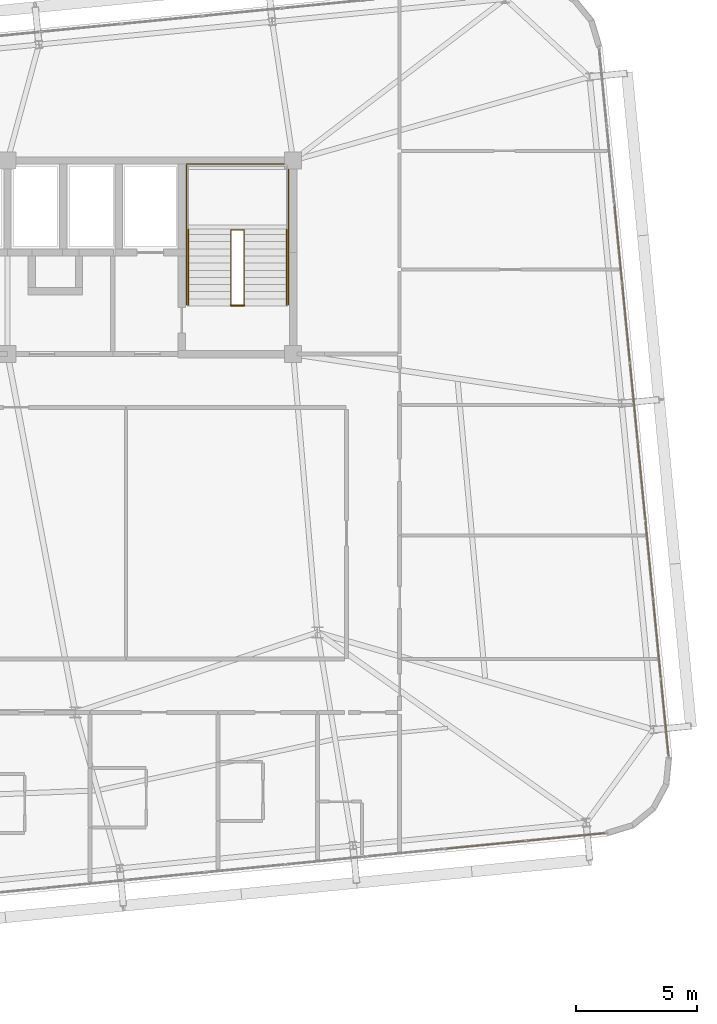
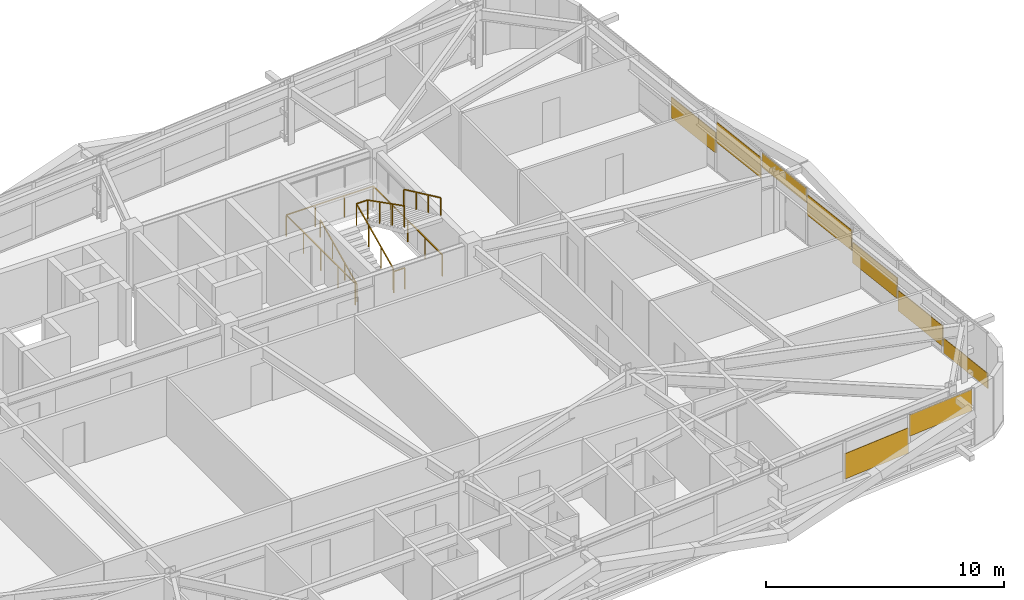
# One storey, part 52 of 53: 9 coverings, 5 railings.
"""IFC4 building model written with IfcOpenShell, lengths in metres."""

from ifc_helpers import new_model, si_unit, direction, frame, origin, origin_2d, place, context, subcontext, project, spatial, rectangle, extrude, source, transform, mapped, material, layer, layer_set, type_object, element, save


model = new_model("IFC4")

# Units and contexts
model_context = context("Model", 3, precision=1e-05, world=origin(), true_north=direction((0.0, 1.0)))
body_context = subcontext(model_context, "Body", "Model", "MODEL_VIEW")
ifc_project = project(units=[si_unit("LENGTHUNIT", "METRE"), si_unit("AREAUNIT", "SQUARE_METRE"), si_unit("VOLUMEUNIT", "CUBIC_METRE"), si_unit("PLANEANGLEUNIT", "RADIAN"), si_unit("MASSUNIT", "GRAM", prefix="KILO")], contexts=[model_context])

# Site, building, storey
site_placement = place(None, origin())
site = spatial("IfcSite", under=ifc_project, at=site_placement, CompositionType="ELEMENT")
building_placement = place(site_placement, origin())
building = spatial("IfcBuilding", under=site, at=building_placement, Name="Taldren Reach Tower", CompositionType="ELEMENT")
storey_placement = place(building_placement, frame((0.0, 0.0, 68.25)))
storey = spatial("IfcBuildingStorey", under=building, at=storey_placement, Name="L20", CompositionType="ELEMENT", Elevation=68.25)

# Railings
ifc_material_1 = material(Name="Steel Gr 350 (C350L0)", Category="steel")
ifc_layer_1 = layer(ifc_material_1, 0.050048828125)
ifc_layer_set_1 = layer_set([ifc_layer_1], Name="Steel Gr 350 (C350L0)")
railing_type_1 = type_object("IfcRailingType", Name="RL-STAIR-GR", PredefinedType="GUARDRAIL", material=ifc_layer_set_1)
railing_1_placement = place(storey_placement, frame((48.429931640625, 26.050048828125, 0.131103515625)))
element("IfcRailing", 1, at=railing_1_placement, inside=storey, type_object=railing_type_1, Name="Stairwell inner guard ST2-L20", PredefinedType="GUARDRAIL", context=body_context, shape_type="SweptSolid", body=[
    extrude(rectangle(XDim=0.047852, YDim=0.047852, at=origin_2d()), frame((0.0, 0.0, 1.09619140625), z_axis=(0.0, 0.905710134349, 0.423897573167), x_axis=(-1.0, 0.0, 0.0)), (0.0, 0.0, 1.0), 3.406005859375),
    extrude(rectangle(XDim=0.047852, YDim=0.047852, at=origin_2d()), frame((0.0, 3.0849609375, 2.5400390625), z_axis=(1.0, 0.0, 0.0), x_axis=(0.0, 1.0, 0.0)), (0.0, 0.0, 1.0), 0.5400390625),
    extrude(rectangle(XDim=0.047852, YDim=0.047852, at=origin_2d()), frame((0.5400390625, 3.0849609375, 2.5400390625), z_axis=(0.0, -0.890645957773, 0.45469745755), x_axis=(1.0, 0.0, 0.0)), (0.0, 0.0, 1.0), 3.463623046875),
    extrude(rectangle(XDim=0.041992, YDim=0.041992, at=origin_2d()), origin(), (0.0, 0.0, 1.0), 1.072021484375),
    extrude(rectangle(XDim=0.041992, YDim=0.041992, at=origin_2d()), frame((0.0, 1.0283203125, 0.481201171875)), (0.0, 0.0, 1.0), 1.072021484375),
    extrude(rectangle(XDim=0.041992, YDim=0.041992, at=origin_2d()), frame((0.0, 2.056640625, 0.962646484375)), (0.0, 0.0, 1.0), 1.072021484375),
    extrude(rectangle(XDim=0.041992, YDim=0.041992, at=origin_2d()), frame((0.0, 3.0849609375, 1.44384765625)), (0.0, 0.0, 1.0), 1.072021484375),
    extrude(rectangle(XDim=0.041992, YDim=0.041992, at=origin_2d()), frame((0.5400390625, 3.0849609375, 1.44384765625)), (0.0, 0.0, 1.0), 1.072021484375),
    extrude(rectangle(XDim=0.041992, YDim=0.041992, at=origin_2d()), frame((0.5400390625, 2.056640625, 1.96875)), (0.0, 0.0, 1.0), 1.072021484375),
    extrude(rectangle(XDim=0.041992, YDim=0.041992, at=origin_2d()), frame((0.5400390625, 1.0283203125, 2.493896484375)), (0.0, 0.0, 1.0), 1.072021484375),
    extrude(rectangle(XDim=0.041992, YDim=0.041992, at=origin_2d()), frame((0.5400390625, 0.0, 3.018798828125)), (0.0, 0.0, 1.0), 1.072021484375),
])
railing_2_placement = place(storey_placement, frame((48.429931640625, 26.010009765625, 0.0)))
element("IfcRailing", 2, at=railing_2_placement, inside=storey, type_object=railing_type_1, Name="Stairwell landing slot guard ST2-L20", PredefinedType="GUARDRAIL", context=body_context, shape_type="SweptSolid", body=[
    extrude(rectangle(XDim=0.047852, YDim=0.047852, at=origin_2d()), frame((0.0, 0.0, 1.09619140625), z_axis=(1.0, 0.0, 0.0), x_axis=(0.0, 1.0, 0.0)), (0.0, 0.0, 1.0), 0.5400390625),
    extrude(rectangle(XDim=0.041992, YDim=0.041992, at=origin_2d()), origin(), (0.0, 0.0, 1.0), 1.072021484375),
    extrude(rectangle(XDim=0.041992, YDim=0.041992, at=origin_2d()), frame((0.5400390625, 0.0, 0.0)), (0.0, 0.0, 1.0), 1.072021484375),
])
railing_3_placement = place(storey_placement, frame((46.590087890625, 26.050048828125, 0.0)))
element("IfcRailing", 3, at=railing_3_placement, inside=storey, type_object=railing_type_1, Name="Stairwell floor opening guard ST2-L20", PredefinedType="GUARDRAIL", context=body_context, shape_type="SweptSolid", body=[
    extrude(rectangle(XDim=0.047852, YDim=0.047852, at=origin_2d()), frame((0.0, 0.0, 1.09619140625), z_axis=(0.0, 1.0, 0.0), x_axis=(-1.0, 0.0, 0.0)), (0.0, 0.0, 1.0), 5.800048828125),
    extrude(rectangle(XDim=0.047852, YDim=0.047852, at=origin_2d()), frame((0.0, 5.800048828125, 1.09619140625), z_axis=(1.0, 0.0, 0.0), x_axis=(0.0, 1.0, 0.0)), (0.0, 0.0, 1.0), 4.219970703125),
    extrude(rectangle(XDim=0.047852, YDim=0.047852, at=origin_2d()), frame((4.219970703125, 5.800048828125, 1.09619140625), z_axis=(0.0, -1.0, 0.0), x_axis=(1.0, 0.0, 0.0)), (0.0, 0.0, 1.0), 5.800048828125),
    extrude(rectangle(XDim=0.041992, YDim=0.041992, at=origin_2d()), origin(), (0.0, 0.0, 1.0), 1.072021484375),
    extrude(rectangle(XDim=0.041992, YDim=0.041992, at=origin_2d()), frame((0.0, 1.449951171875, 0.0)), (0.0, 0.0, 1.0), 1.072021484375),
    extrude(rectangle(XDim=0.041992, YDim=0.041992, at=origin_2d()), frame((0.0, 2.89990234375, 0.0)), (0.0, 0.0, 1.0), 1.072021484375),
    extrude(rectangle(XDim=0.041992, YDim=0.041992, at=origin_2d()), frame((0.0, 4.35009765625, 0.0)), (0.0, 0.0, 1.0), 1.072021484375),
    extrude(rectangle(XDim=0.041992, YDim=0.041992, at=origin_2d()), frame((0.0, 5.800048828125, 0.0)), (0.0, 0.0, 1.0), 1.072021484375),
    extrude(rectangle(XDim=0.041992, YDim=0.041992, at=origin_2d()), frame((1.40673828125, 5.800048828125, 0.0)), (0.0, 0.0, 1.0), 1.072021484375),
    extrude(rectangle(XDim=0.041992, YDim=0.041992, at=origin_2d()), frame((2.813232421875, 5.800048828125, 0.0)), (0.0, 0.0, 1.0), 1.072021484375),
    extrude(rectangle(XDim=0.041992, YDim=0.041992, at=origin_2d()), frame((4.219970703125, 5.800048828125, 0.0)), (0.0, 0.0, 1.0), 1.072021484375),
    extrude(rectangle(XDim=0.041992, YDim=0.041992, at=origin_2d()), frame((4.219970703125, 4.35009765625, 0.0)), (0.0, 0.0, 1.0), 1.072021484375),
    extrude(rectangle(XDim=0.041992, YDim=0.041992, at=origin_2d()), frame((4.219970703125, 2.89990234375, 0.0)), (0.0, 0.0, 1.0), 1.072021484375),
    extrude(rectangle(XDim=0.041992, YDim=0.041992, at=origin_2d()), frame((4.219970703125, 1.449951171875, 0.0)), (0.0, 0.0, 1.0), 1.072021484375),
    extrude(rectangle(XDim=0.041992, YDim=0.041992, at=origin_2d()), frame((4.219970703125, 0.0, 0.0)), (0.0, 0.0, 1.0), 1.072021484375),
])
ifc_material_2 = material(Name="Stainless Steel Gr 316", Category="steel")
ifc_layer_2 = layer(ifc_material_2, 0.048095703125)
ifc_layer_set_2 = layer_set([ifc_layer_2], Name="Stainless Steel Gr 316")
railing_type_2 = type_object("IfcRailingType", Name="RL-STAIR-HR", PredefinedType="HANDRAIL", material=ifc_layer_set_2)
railing_4_placement = place(storey_placement, frame((46.669921875, 26.050048828125, 0.131103515625)))
element("IfcRailing", 4, at=railing_4_placement, inside=storey, type_object=railing_type_2, Name="Stair flight handrail ST2-L20-1", PredefinedType="HANDRAIL", context=body_context, shape_type="SweptSolid", body=[
    extrude(rectangle(XDim=0.047852, YDim=0.047852, at=origin_2d()), frame((0.0, 0.0, 0.89599609375), z_axis=(0.0, 0.905710134349, 0.423897573167), x_axis=(-1.0, 0.0, 0.0)), (0.0, 0.0, 1.0), 3.406005859375),
    extrude(rectangle(XDim=0.041992, YDim=0.041992, at=origin_2d()), origin(), (0.0, 0.0, 1.0), 0.871826171875),
    extrude(rectangle(XDim=0.041992, YDim=0.041992, at=origin_2d()), frame((0.0, 1.0283203125, 0.481201171875)), (0.0, 0.0, 1.0), 0.871826171875),
    extrude(rectangle(XDim=0.041992, YDim=0.041992, at=origin_2d()), frame((0.0, 2.056640625, 0.962646484375)), (0.0, 0.0, 1.0), 0.871826171875),
    extrude(rectangle(XDim=0.041992, YDim=0.041992, at=origin_2d()), frame((0.0, 3.0849609375, 1.44384765625)), (0.0, 0.0, 1.0), 0.871826171875),
])
railing_5_placement = place(storey_placement, frame((50.72998046875, 29.135009765625, 1.706298828125)))
element("IfcRailing", 5, at=railing_5_placement, inside=storey, type_object=railing_type_2, Name="Stair flight handrail ST2-L20-2", PredefinedType="HANDRAIL", context=body_context, shape_type="SweptSolid", body=[
    extrude(rectangle(XDim=0.047852, YDim=0.047852, at=origin_2d()), frame((0.0, 0.0, 0.89599609375), z_axis=(0.0, -0.905737652094, 0.423838773095), x_axis=(1.0, 0.0, 0.0)), (0.0, 0.0, 1.0), 3.406005859375),
    extrude(rectangle(XDim=0.041992, YDim=0.041992, at=origin_2d()), origin(), (0.0, 0.0, 1.0), 0.871826171875),
    extrude(rectangle(XDim=0.041992, YDim=0.041992, at=origin_2d()), frame((0.0, -1.0283203125, 0.481201171875)), (0.0, 0.0, 1.0), 0.871826171875),
    extrude(rectangle(XDim=0.041992, YDim=0.041992, at=origin_2d()), frame((0.0, -2.056640625, 0.96240234375)), (0.0, 0.0, 1.0), 0.871826171875),
    extrude(rectangle(XDim=0.041992, YDim=0.041992, at=origin_2d()), frame((0.0, -3.0849609375, 1.443603515625)), (0.0, 0.0, 1.0), 0.871826171875),
])

# Coverings
ifc_material_3 = material(Name="Pale Champagne Fluoropolymer Aluminium Spandrel Cladding", Category="aluminium")
ifc_layer_3 = layer(ifc_material_3, 0.0439453125)
ifc_layer_set_3 = layer_set([ifc_layer_3], Name="Pale Champagne Fluoropolymer Aluminium Spandrel Cladding")
covering_type = type_object("IfcCoveringType", Name="CV-CLAD-044", PredefinedType="CLADDING", material=ifc_layer_set_3)
shared_shape_1 = source(origin(), body_context, "Body", "SweptSolid", [
    extrude(rectangle(XDim=3.23583984375, YDim=0.0439453125, at=origin_2d()), origin(), (0.0, 0.0, 1.0), 1.094970703125),
])
covering_1_placement = place(storey_placement, frame((62.274169921875, 4.04931640625, 1.7802734375), z_axis=(0.0, 0.0, 1.0), x_axis=(0.995227390247, 0.097582999046, 0.0)))
element("IfcCovering", 6, at=covering_1_placement, inside=storey, type_object=covering_type, Name="Diagrid closure cladding strip CW-3 panel 15.1 1", PredefinedType="CLADDING", context=body_context, shape_type="MappedRepresentation", body=[
    mapped(shared_shape_1, transform((0.0, 0.0, 0.0), scale=1.0)),
])
shared_shape_2 = source(origin(), body_context, "Body", "SweptSolid", [
    extrude(rectangle(XDim=3.268310546875, YDim=0.0439453125, at=origin_2d()), origin(), (0.0, 0.0, 1.0), 1.3046875),
])
covering_2_placement = place(storey_placement, frame((58.972900390625, 3.7255859375, 0.943359375), z_axis=(0.0, 0.0, 1.0), x_axis=(0.995227390247, 0.097582999046, 0.0)))
element("IfcCovering", 7, at=covering_2_placement, inside=storey, type_object=covering_type, Name="Diagrid closure cladding strip CW-3 panel 14.1 1", PredefinedType="CLADDING", context=body_context, shape_type="MappedRepresentation", body=[
    mapped(shared_shape_2, transform((0.0, 0.0, 0.0), scale=1.0)),
])
shared_shape_3 = source(origin(), body_context, "Body", "SweptSolid", [
    extrude(rectangle(XDim=3.212890625, YDim=0.0439453125, at=origin_2d()), origin(), (0.0, 0.0, 1.0), 1.053466796875),
])
for number, where, z_axis, x_axis, name in (
    (8, (66.03662109375, 12.232177734375, 0.35986328125), (0.0, 0.0, 1.0), (-0.09758274098, 0.99522741555, 0.0), "Diagrid closure cladding strip CW-3 panel 2.1 1"),
    (9, (65.716796875, 15.494384765625, 0.94775390625), (0.0, 0.0, 1.0), (-0.09758274098, 0.99522741555, 0.0), "Diagrid closure cladding strip CW-3 panel 3.1 1"),
    (10, (65.39697265625, 18.756591796875, 1.53564453125), (0.0, 0.0, 1.0), (-0.09758274098, 0.99522741555, 0.0), "Diagrid closure cladding strip CW-3 panel 4.1 1"),
    (11, (64.757080078125, 25.28076171875, 1.53564453125), (0.0, 0.0, 1.0), (-0.09758274098, 0.99522741555, 0.0), "Diagrid closure cladding strip CW-3 panel 6.1 1"),
    (12, (64.437255859375, 28.54296875, 0.94775390625), (0.0, 0.0, 1.0), (-0.09758274098, 0.99522741555, 0.0), "Diagrid closure cladding strip CW-3 panel 7.1 1"),
):
    element("IfcCovering", number, at=place(storey_placement, frame(where, z_axis=z_axis, x_axis=x_axis)), inside=storey, type_object=covering_type, Name=name, PredefinedType="CLADDING", context=body_context, shape_type="MappedRepresentation", body=[
        mapped(shared_shape_3, transform((0.0, 0.0, 0.0), scale=1.0)),
    ])
shared_shape_4 = source(origin(), body_context, "Body", "SweptSolid", [
    extrude(rectangle(XDim=3.18017578125, YDim=0.0439453125, at=origin_2d()), origin(), (0.0, 0.0, 1.0), 0.7705078125),
])
covering_3_placement = place(storey_placement, frame((66.35498046875, 8.986328125, 0.054931640625), z_axis=(0.0, 0.0, 1.0), x_axis=(-0.09758274098, 0.99522741555, 0.0)))
element("IfcCovering", 13, at=covering_3_placement, inside=storey, type_object=covering_type, Name="Diagrid closure cladding strip CW-3 panel 1.1 1", PredefinedType="CLADDING", context=body_context, shape_type="MappedRepresentation", body=[
    mapped(shared_shape_4, transform((0.0, 0.0, 0.0), scale=1.0)),
])
shared_shape_5 = source(origin(), body_context, "Body", "SweptSolid", [
    extrude(rectangle(XDim=3.212890625, YDim=0.0439453125, at=origin_2d()), origin(), (0.0, 0.0, 1.0), 0.751708984375),
])
covering_4_placement = place(storey_placement, frame((65.0771484375, 22.0185546875, 2.123046875), z_axis=(0.0, 0.0, 1.0), x_axis=(-0.09758274098, 0.99522741555, 0.0)))
element("IfcCovering", 14, at=covering_4_placement, inside=storey, type_object=covering_type, Name="Diagrid closure cladding strip CW-3 panel 5.1 1", PredefinedType="CLADDING", context=body_context, shape_type="MappedRepresentation", body=[
    mapped(shared_shape_5, transform((0.0, 0.0, 0.0), scale=1.0)),
])

save(model, "model.ifc")
